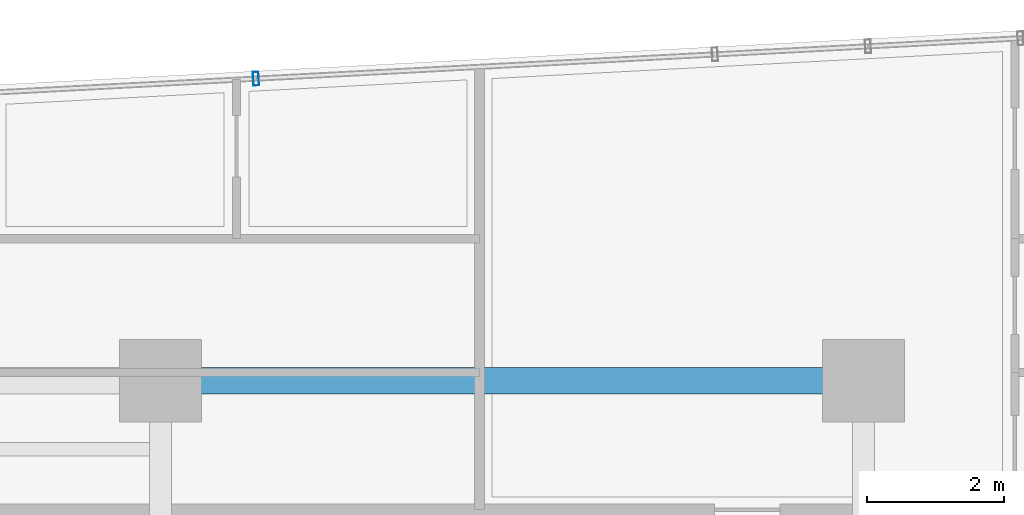
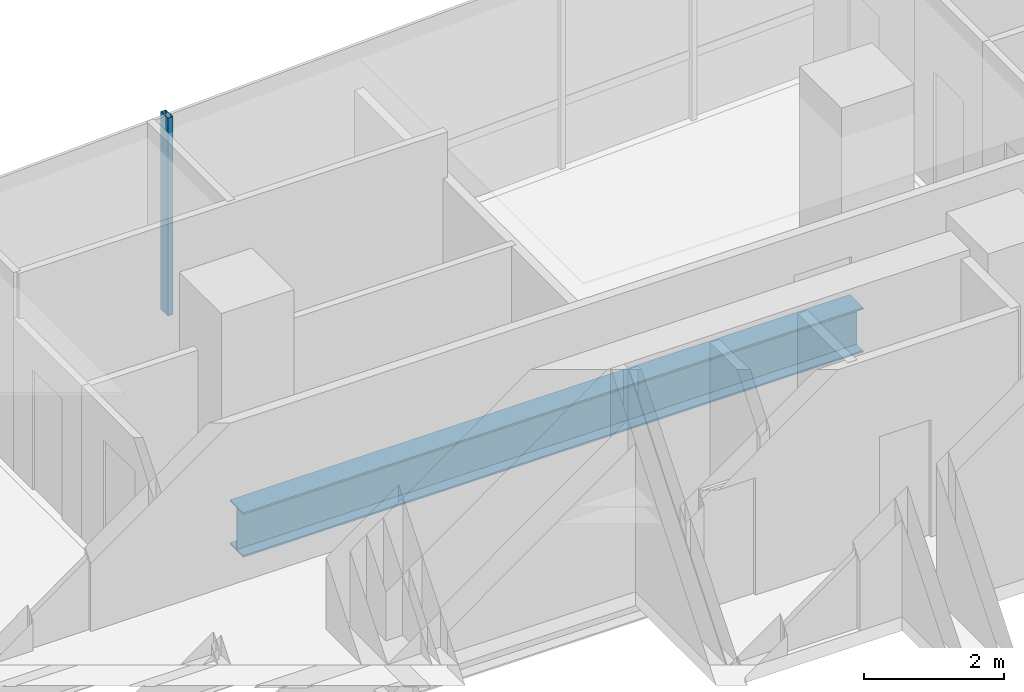
# One storey, part 20 of 34: 1 beam, 1 member, 1 element without a shape of its own.
"""IFC4 building model written with IfcOpenShell, lengths in metres."""

from ifc_helpers import new_model, si_unit, direction, frame, origin, origin_2d, place, context, subcontext, project, spatial, hollow_rectangle, i_section, extrude, source, transform, mapped, material, material_profile, profile_set, type_object, element, aggregate, save


model = new_model("IFC4")

# Units and contexts
model_context = context("Model", 3, precision=1e-05, world=origin(), true_north=direction((0.0, 1.0)))
body_context = subcontext(model_context, "Body", "Model", "MODEL_VIEW")
ifc_project = project(units=[si_unit("LENGTHUNIT", "METRE"), si_unit("AREAUNIT", "SQUARE_METRE"), si_unit("VOLUMEUNIT", "CUBIC_METRE"), si_unit("PLANEANGLEUNIT", "RADIAN"), si_unit("MASSUNIT", "GRAM", prefix="KILO")], contexts=[model_context])

# Site, building, storey
site_placement = place(None, origin())
site = spatial("IfcSite", under=ifc_project, at=site_placement, CompositionType="ELEMENT")
building_placement = place(site_placement, origin())
building = spatial("IfcBuilding", under=site, at=building_placement, Name="Valdorenza Pilgrim Sanctuary Tower", CompositionType="ELEMENT")
storey_placement = place(building_placement, frame((0.0, 0.0, 164.89990234375)))
storey = spatial("IfcBuildingStorey", under=building, at=storey_placement, Name="L42", CompositionType="ELEMENT", Elevation=164.89990234375)

# Beam
ifc_material_1 = material(Name="Steel ASTM A992 Grade 50", Category="steel")
ifc_material_profile_1 = material_profile(ifc_material_1, i_section(OverallWidth=0.382080078125, OverallDepth=0.779052734375, WebThickness=0.01806640625, FlangeThickness=0.030029296875, at=origin_2d()), Name="W30X191")
ifc_profile_set_1 = profile_set([ifc_material_profile_1], Name="Steel ASTM A992 Grade 50")
beam_type = type_object("IfcBeamType", Name="STR-BM-GRD-W30", PredefinedType="BEAM", material=ifc_profile_set_1)
shared_shape_1 = source(origin(), body_context, "Body", "SweptSolid", [
    extrude(i_section(OverallWidth=0.382080078125, OverallDepth=0.779052734375, WebThickness=0.01806640625, FlangeThickness=0.030029296875, at=origin_2d()), origin(), (0.0, 0.0, 1.0), 10.25),
])
beam_placement = place(storey_placement, frame((-22.64990234375, 14.800048828125, -0.62939453125), z_axis=(1.0, 0.0, 0.0), x_axis=(0.0, 1.0, 0.0)))
element("IfcBeam", 1, at=beam_placement, inside=storey, type_object=beam_type, Name="L42 Floor Girder CA-XC-N2", PredefinedType="BEAM", context=body_context, shape_type="MappedRepresentation", body=[
    mapped(shared_shape_1, transform((0.0, 0.0, 0.0), x_axis=(1.0, 0.0, 0.0), y_axis=(0.0, 1.0, 0.0), z_axis=(0.0, 0.0, 1.0), scale=1.0)),
])

# Curtain wall, member
ifc_material_2 = material(Name="Curtain-wall IGU glazing", Category="glass")
curtain_wall_type = type_object("IfcCurtainWallType", Name="CW-SYS-02", PredefinedType="NOTDEFINED", material=ifc_material_2)
curtain_wall_placement = place(storey_placement, origin())
curtain_wall = element("IfcCurtainWall", 2, at=curtain_wall_placement, inside=storey, type_object=curtain_wall_type, Name="L42 Curtain Wall CW-L42-1-6", PredefinedType="NOTDEFINED")
ifc_material_3 = material(Name="Anodised aluminium AW-6060", Category="aluminium")
ifc_material_profile_2 = material_profile(ifc_material_3, hollow_rectangle(XDim=0.0849609375, YDim=0.199951171875, WallThickness=0.0048828125, at=origin_2d()), Name="ALU-M 200x85x5")
ifc_profile_set_2 = profile_set([ifc_material_profile_2], Name="Anodised aluminium AW-6060")
member_type = type_object("IfcMemberType", Name="CW-MUL-02", PredefinedType="MULLION", material=ifc_profile_set_2)
shared_shape_2 = source(origin(), body_context, "Body", "SweptSolid", [
    extrude(hollow_rectangle(XDim=0.0849609375, YDim=0.199951171875, WallThickness=0.0048828125, at=origin_2d()), origin(), (0.0, 0.0, 1.0), 3.460205078125),
])
member_placement = place(storey_placement, frame((-21.259765625, 19.204345703125, 0.0), z_axis=(0.0, 0.0, 1.0), x_axis=(0.998607524712, 0.052754256601, 0.0)))
member = element("IfcMember", 3, at=member_placement, type_object=member_type, Name="CW-L42-1-6 Mullion 2", PredefinedType="MULLION", context=body_context, shape_type="MappedRepresentation", body=[
    mapped(shared_shape_2, transform((0.0, 0.0, 0.0), x_axis=(1.0, 0.0, 0.0), y_axis=(0.0, 1.0, 0.0), z_axis=(0.0, 0.0, 1.0), scale=1.0)),
])
aggregate(curtain_wall, [member])

save(model, "model.ifc")
